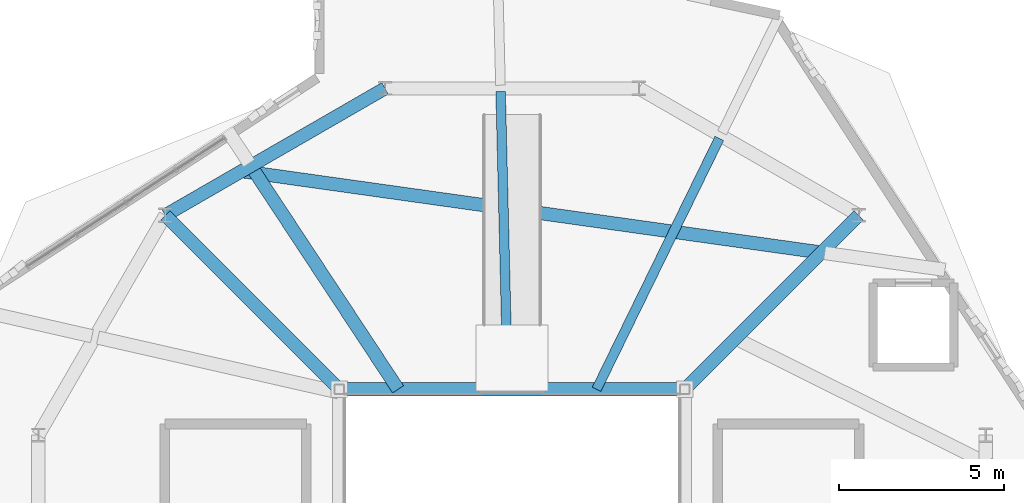
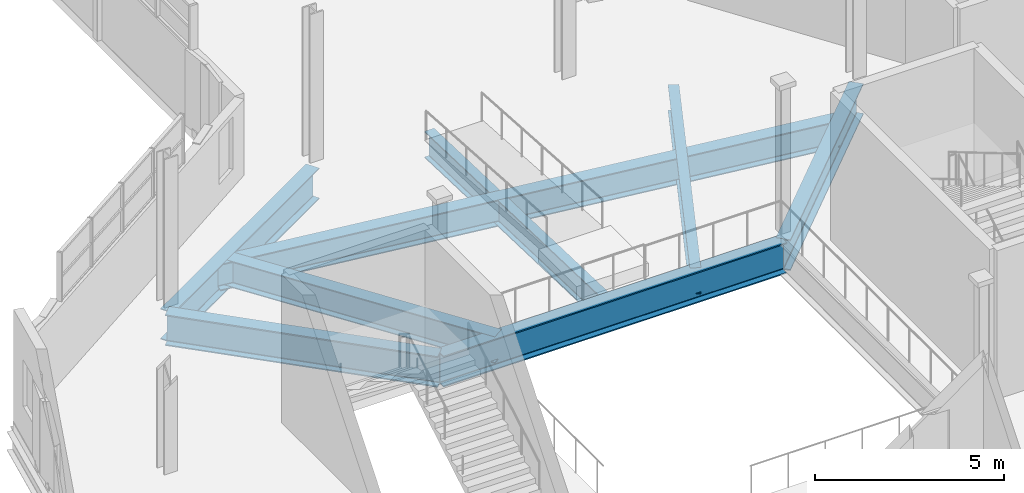
# One storey, part 40 of 118: 8 beams.
"""IFC4 building model written with IfcOpenShell, lengths in metres."""

from ifc_helpers import new_model, si_unit, direction, frame, origin, origin_2d, place, context, subcontext, project, spatial, i_section, extrude, material, material_profile, profile_set, type_object, element, save


model = new_model("IFC4")

# Units and contexts
model_context = context("Model", 3, precision=1e-05, world=origin(), true_north=direction((0.0, 1.0)))
body_context = subcontext(model_context, "Body", "Model", "MODEL_VIEW")
ifc_project = project(units=[si_unit("LENGTHUNIT", "METRE"), si_unit("AREAUNIT", "SQUARE_METRE"), si_unit("VOLUMEUNIT", "CUBIC_METRE"), si_unit("PLANEANGLEUNIT", "RADIAN"), si_unit("MASSUNIT", "GRAM", prefix="KILO"), si_unit("THERMODYNAMICTEMPERATUREUNIT", "KELVIN"), si_unit("POWERUNIT", "WATT")], contexts=[model_context])

# Site, building, storey
site_placement = place(None, origin())
site = spatial("IfcSite", under=ifc_project, at=site_placement, CompositionType="ELEMENT")
building_placement = place(site_placement, origin())
building = spatial("IfcBuilding", under=site, at=building_placement, Name="Zelmaris Science Centre", CompositionType="ELEMENT")
storey_placement = place(building_placement, frame((0.0, 0.0, 15.60009765625)))
storey = spatial("IfcBuildingStorey", under=building, at=storey_placement, Name="L03", CompositionType="ELEMENT", Elevation=15.60009765625)

# Beams
ifc_material = material(Name="Steel ASTM A992 Grade 50", Category="steel")
ifc_material_profile_1 = material_profile(ifc_material, i_section(OverallWidth=0.40087890625, OverallDepth=0.85595703125, WebThickness=0.018310546875, FlangeThickness=0.029296875, FilletRadius=0.02001953125, at=origin_2d()), Name="W33X201")
ifc_profile_set_1 = profile_set([ifc_material_profile_1], Name="Steel ASTM A992 Grade 50")
beam_type_1 = type_object("IfcBeamType", Name="Beam G-05 W33X201", PredefinedType="BEAM", material=ifc_profile_set_1)
beam_1_placement = place(storey_placement, frame((77.539306640625, 41.25, -0.7080078125), z_axis=(-0.550380281621, 0.834914094744, 0.0), x_axis=(-0.834914094744, -0.550380281621, 0.0)))
element("IfcBeam", 1, at=beam_1_placement, inside=storey, type_object=beam_type_1, Name="L03 Overhang back-span girder 8", PredefinedType="BEAM", context=body_context, shape_type="SweptSolid", body=[
    extrude(i_section(OverallWidth=0.40087890625, OverallDepth=0.85595703125, WebThickness=0.018310546875, FlangeThickness=0.029296875, FilletRadius=0.02001953125, at=origin_2d()), origin(), (0.0, 0.0, 1.0), 8.03466796875),
])
ifc_material_profile_2 = material_profile(ifc_material, i_section(OverallWidth=0.294921875, OverallDepth=0.85107421875, WebThickness=0.01611328125, FlangeThickness=0.02685546875, FilletRadius=0.02001953125, at=origin_2d()), Name="W33X152")
ifc_profile_set_2 = profile_set([ifc_material_profile_2], Name="Steel ASTM A992 Grade 50")
beam_type_2 = type_object("IfcBeamType", Name="Beam G-06 W33X152", PredefinedType="BEAM", material=ifc_profile_set_2)
beam_2_placement = place(storey_placement, frame((83.5693359375, 41.25, -0.70556640625), z_axis=(0.439590889572, 0.898198112782, 0.0), x_axis=(-0.898198112782, 0.439590889572, 0.0)))
element("IfcBeam", 2, at=beam_2_placement, inside=storey, type_object=beam_type_2, Name="L03 Overhang back-span girder 6", PredefinedType="BEAM", context=body_context, shape_type="SweptSolid", body=[
    extrude(i_section(OverallWidth=0.294921875, OverallDepth=0.85107421875, WebThickness=0.01611328125, FlangeThickness=0.02685546875, FilletRadius=0.02001953125, at=origin_2d()), origin(), (0.0, 0.0, 1.0), 8.486328125),
])
ifc_material_profile_3 = material_profile(ifc_material, i_section(OverallWidth=0.40087890625, OverallDepth=1.0009765625, WebThickness=0.01904296875, FlangeThickness=0.0361328125, FilletRadius=0.02490234375, at=origin_2d()), Name="W40X249")
ifc_profile_set_3 = profile_set([ifc_material_profile_3], Name="Steel ASTM A992 Grade 50")
beam_type_3 = type_object("IfcBeamType", Name="Beam G-22 W40X249", PredefinedType="BEAM", material=ifc_profile_set_3)
beam_3_placement = place(storey_placement, frame((77.1435546875, 50.392333984375, -0.780517578125), z_axis=(-0.866021648359, -0.500006504531, 0.0), x_axis=(0.500006504531, -0.866021648359, 0.0)))
element("IfcBeam", 3, at=beam_3_placement, inside=storey, type_object=beam_type_3, Name="L03 Exhibition inner ring girder 4", PredefinedType="BEAM", context=body_context, shape_type="SweptSolid", body=[
    extrude(i_section(OverallWidth=0.40087890625, OverallDepth=1.0009765625, WebThickness=0.01904296875, FlangeThickness=0.0361328125, FilletRadius=0.02490234375, at=origin_2d()), origin(), (0.0, 0.0, 1.0), 7.712890625),
])
beam_4_placement = place(storey_placement, frame((86.25, 41.25, -0.780517578125), z_axis=(-1.0, 0.0, 0.0), x_axis=(0.0, -1.0, 0.0)))
element("IfcBeam", 4, at=beam_4_placement, inside=storey, type_object=beam_type_3, Name="L03 Atrium framing girder 3", PredefinedType="BEAM", context=body_context, shape_type="SweptSolid", body=[
    extrude(i_section(OverallWidth=0.40087890625, OverallDepth=1.0009765625, WebThickness=0.01904296875, FlangeThickness=0.0361328125, FilletRadius=0.02490234375, at=origin_2d()), origin(), (0.0, 0.0, 1.0), 10.5),
])
for number, where, z_axis, x_axis, name in (
    (5, (86.25, 41.25, -0.780517578125), (0.707106781187, 0.707106781187, 0.0), (-0.707106781187, 0.707106781187, 0.0), "L03 Atrium diagonal header girder 3"),
    (6, (75.75, 41.25, -0.780517578125), (-0.707106781187, 0.707106781187, 0.0), (-0.707106781187, -0.707106781187, 0.0), "L03 Atrium diagonal header girder 4"),
):
    element("IfcBeam", number, at=place(storey_placement, frame(where, z_axis=z_axis, x_axis=x_axis)), inside=storey, type_object=beam_type_3, Name=name, PredefinedType="BEAM", context=body_context, shape_type="SweptSolid", body=[
        extrude(i_section(OverallWidth=0.40087890625, OverallDepth=1.0009765625, WebThickness=0.01904296875, FlangeThickness=0.0361328125, FilletRadius=0.02490234375, at=origin_2d()), origin(), (0.0, 0.0, 1.0), 7.475341796875),
    ])
ifc_material_profile_4 = material_profile(ifc_material, i_section(OverallWidth=0.404052734375, OverallDepth=0.861083984375, WebThickness=0.019775390625, FlangeThickness=0.032470703125, FilletRadius=0.02001953125, at=origin_2d()), Name="W33X221")
ifc_profile_set_4 = profile_set([ifc_material_profile_4], Name="Steel ASTM A992 Grade 50")
beam_type_4 = type_object("IfcBeamType", Name="Beam G-28 W33X221", PredefinedType="BEAM", material=ifc_profile_set_4)
beam_5_placement = place(storey_placement, frame((72.78515625, 47.8759765625, -0.710693359375), z_axis=(0.990296342354, -0.138971775262, 0.0), x_axis=(0.138971775262, 0.990296342354, 0.0)))
element("IfcBeam", 7, at=beam_5_placement, inside=storey, type_object=beam_type_4, Name="L03 Overhang back-span girder 5", PredefinedType="BEAM", context=body_context, shape_type="SweptSolid", body=[
    extrude(i_section(OverallWidth=0.404052734375, OverallDepth=0.861083984375, WebThickness=0.019775390625, FlangeThickness=0.032470703125, FilletRadius=0.02001953125, at=origin_2d()), origin(), (0.0, 0.0, 1.0), 17.69580078125),
])
ifc_material_profile_5 = material_profile(ifc_material, i_section(OverallWidth=0.2919921875, OverallDepth=0.85888671875, WebThickness=0.01708984375, FlangeThickness=0.031005859375, FilletRadius=0.02001953125, at=origin_2d()), Name="W33X169")
ifc_profile_set_5 = profile_set([ifc_material_profile_5], Name="Steel ASTM A992 Grade 50")
beam_type_5 = type_object("IfcBeamType", Name="Beam G-29 W33X169", PredefinedType="BEAM", material=ifc_profile_set_5)
beam_6_placement = place(storey_placement, frame((80.873046875, 41.25, -0.709716796875), z_axis=(-0.024171250959, 0.999707832633, 0.0), x_axis=(-0.999707832633, -0.024171250959, 0.0)))
element("IfcBeam", 8, at=beam_6_placement, inside=storey, type_object=beam_type_5, Name="L03 Overhang back-span girder 7", PredefinedType="BEAM", context=body_context, shape_type="SweptSolid", body=[
    extrude(i_section(OverallWidth=0.2919921875, OverallDepth=0.85888671875, WebThickness=0.01708984375, FlangeThickness=0.031005859375, FilletRadius=0.02001953125, at=origin_2d()), origin(), (0.0, 0.0, 1.0), 9.050048828125),
])

save(model, "model.ifc")
